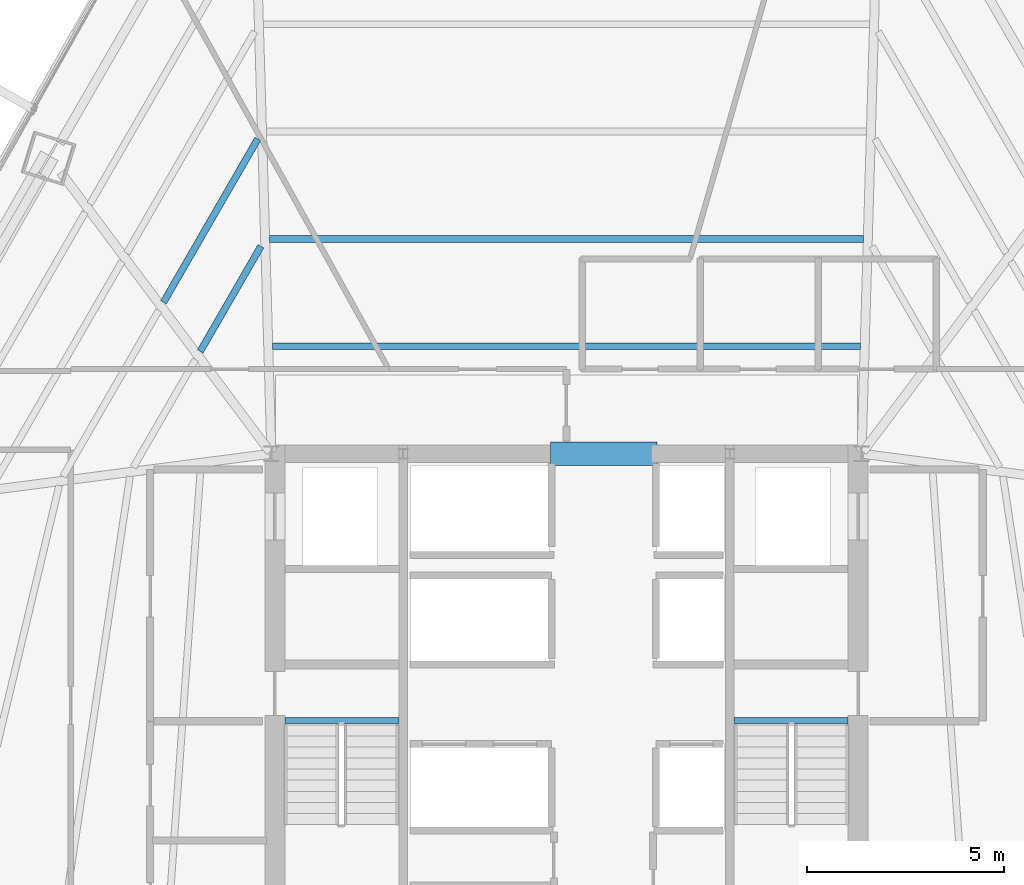
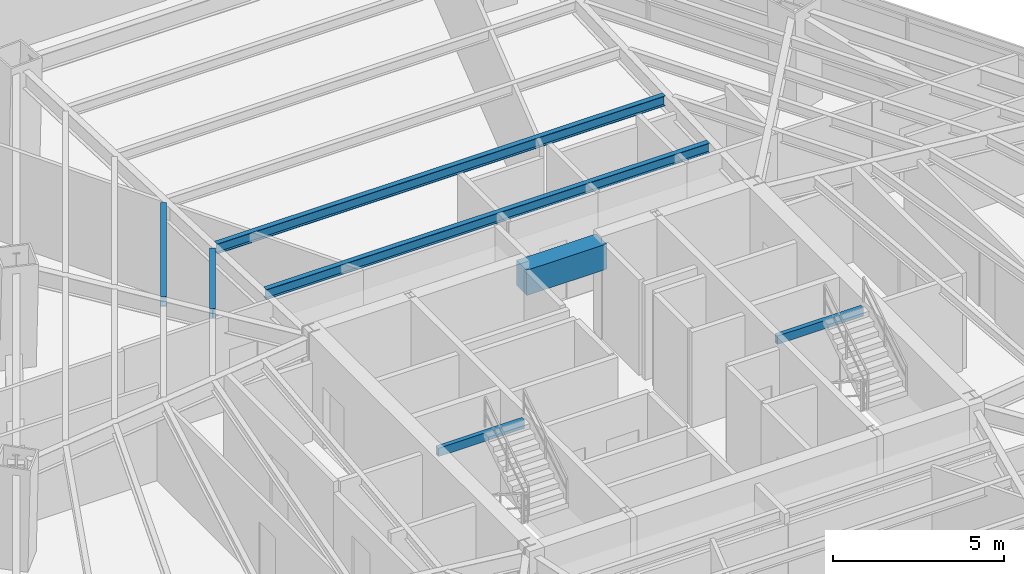
# One storey, part 14 of 36: 7 beams.
"""IFC4 building model written with IfcOpenShell, lengths in metres."""

from ifc_helpers import new_model, si_unit, direction, frame, origin, origin_2d, place, context, subcontext, project, spatial, rectangle, hollow_rectangle, i_section, extrude, source, transform, mapped, material, material_profile, profile_set, type_object, type_shapes, element, save


model = new_model("IFC4")

# Units and contexts
model_context = context("Model", 3, precision=1e-05, world=origin(), true_north=direction((0.0, 1.0)))
body_context = subcontext(model_context, "Body", "Model", "MODEL_VIEW")
ifc_project = project(units=[si_unit("LENGTHUNIT", "METRE"), si_unit("AREAUNIT", "SQUARE_METRE"), si_unit("VOLUMEUNIT", "CUBIC_METRE"), si_unit("PLANEANGLEUNIT", "RADIAN"), si_unit("MASSUNIT", "GRAM", prefix="KILO")], contexts=[model_context])

# Site, building, storey
site_placement = place(None, origin())
site = spatial("IfcSite", under=ifc_project, at=site_placement, CompositionType="ELEMENT")
building_placement = place(site_placement, origin())
building = spatial("IfcBuilding", under=site, at=building_placement, Name="Caelisora Broadcast Tower", CompositionType="ELEMENT")
storey_placement = place(building_placement, frame((0.0, 0.0, 79.85009765625)))
storey = spatial("IfcBuildingStorey", under=building, at=storey_placement, Name="L20", CompositionType="ELEMENT", Elevation=79.85009765625)

# Beams
ifc_material_1 = material(Name="Steel Grade 350 (AS/NZS 1163 C350L0)", Category="steel")
ifc_material_profile_1 = material_profile(ifc_material_1, hollow_rectangle(XDim=0.14990234375, YDim=0.300048828125, WallThickness=0.010009765625, at=origin_2d()), Name="Steel Grade 350 (AS/NZS 1163 C350L0)")
ifc_profile_set_1 = profile_set([ifc_material_profile_1], Name="Steel Grade 350 (AS/NZS 1163 C350L0)")
beam_type_1 = type_object("IfcBeamType", Name="SB05", PredefinedType="JOIST", material=ifc_profile_set_1)
shared_shape_1 = source(origin(), body_context, "Body", "SweptSolid", [
    extrude(hollow_rectangle(XDim=0.14990234375, YDim=0.300048828125, WallThickness=0.010009765625, at=origin_2d()), origin(), (0.0, 0.0, 1.0), 2.89990234375),
])
type_shapes(beam_type_1, [shared_shape_1])
for number, where, z_axis, x_axis, name in (
    (1, (30.840087890625, 23.219970703125, 3.25), (1.0, 0.0, 0.0), (0.0, 1.0, 0.0), "L20 beam SB05"),
    (2, (42.260009765625, 23.219970703125, 3.25), (1.0, 0.0, 0.0), (0.0, 1.0, 0.0), "L20 beam SB05"),
):
    element("IfcBeam", number, at=place(storey_placement, frame(where, z_axis=z_axis, x_axis=x_axis)), inside=storey, type_object=beam_type_1, Name=name, PredefinedType="JOIST", context=body_context, shape_type="MappedRepresentation", body=[
        mapped(shared_shape_1, transform((0.0, 0.0, 0.0), scale=1.0)),
    ])
ifc_material_2 = material(Name="Concrete 50 MPa (AS 3600 S50)", Category="concrete")
ifc_material_profile_2 = material_profile(ifc_material_2, rectangle(XDim=0.60009765625, YDim=0.89990234375, at=origin_2d()), Name="Concrete 50 MPa (AS 3600 S50)")
ifc_profile_set_2 = profile_set([ifc_material_profile_2], Name="Concrete 50 MPa (AS 3600 S50)")
beam_type_2 = type_object("IfcBeamType", Name="CB02", PredefinedType="LINTEL", material=ifc_profile_set_2)
shared_shape_2 = source(origin(), body_context, "Body", "SweptSolid", [
    extrude(rectangle(XDim=0.60009765625, YDim=0.89990234375, at=origin_2d()), origin(), (0.0, 0.0, 1.0), 2.699951171875),
])
type_shapes(beam_type_2, [shared_shape_2])
beam_1_placement = place(storey_placement, frame((37.60009765625, 30.0, 2.949951171875), z_axis=(1.0, 0.0, 0.0), x_axis=(0.0, 1.0, 0.0)))
element("IfcBeam", 3, at=beam_1_placement, inside=storey, type_object=beam_type_2, Name="L20 beam CB02", PredefinedType="LINTEL", context=body_context, shape_type="MappedRepresentation", body=[
    mapped(shared_shape_2, transform((0.0, 0.0, 0.0), scale=1.0)),
])
ifc_material_3 = material(Name="Steel Grade 350 (AS/NZS 3679.1)", Category="steel")
ifc_material_profile_3 = material_profile(ifc_material_3, i_section(OverallWidth=0.172119140625, OverallDepth=0.358642578125, WebThickness=0.008056640625, FlangeThickness=0.012939453125, at=origin_2d()), Name="Steel Grade 350 (AS/NZS 3679.1)")
ifc_profile_set_3 = profile_set([ifc_material_profile_3], Name="Steel Grade 350 (AS/NZS 3679.1)")
beam_type_3 = type_object("IfcBeamType", Name="SB02", PredefinedType="JOIST", material=ifc_profile_set_3)
shared_shape_3 = source(origin(), body_context, "Body", "SweptSolid", [
    extrude(i_section(OverallWidth=0.172119140625, OverallDepth=0.358642578125, WebThickness=0.008056640625, FlangeThickness=0.012939453125, at=origin_2d()), origin(), (0.0, 0.0, 1.0), 14.93701171875),
])
beam_2_placement = place(storey_placement, frame((45.468505859375, 32.728515625, 3.220703125), z_axis=(-1.0, 0.0, 0.0), x_axis=(0.0, -1.0, 0.0)))
element("IfcBeam", 4, at=beam_2_placement, inside=storey, type_object=beam_type_3, Name="L20 beam SB02", PredefinedType="JOIST", context=body_context, shape_type="MappedRepresentation", body=[
    mapped(shared_shape_3, transform((0.0, 0.0, 0.0), scale=1.0)),
])
shared_shape_4 = source(origin(), body_context, "Body", "SweptSolid", [
    extrude(i_section(OverallWidth=0.172119140625, OverallDepth=0.358642578125, WebThickness=0.008056640625, FlangeThickness=0.012939453125, at=origin_2d()), origin(), (0.0, 0.0, 1.0), 15.09521484375),
])
beam_3_placement = place(storey_placement, frame((45.547607421875, 35.456787109375, 3.220703125), z_axis=(-1.0, 0.0, 0.0), x_axis=(0.0, -1.0, 0.0)))
element("IfcBeam", 5, at=beam_3_placement, inside=storey, type_object=beam_type_3, Name="L20 beam SB02", PredefinedType="JOIST", context=body_context, shape_type="MappedRepresentation", body=[
    mapped(shared_shape_4, transform((0.0, 0.0, 0.0), scale=1.0)),
])
shared_shape_5 = source(origin(), body_context, "Body", "SweptSolid", [
    extrude(i_section(OverallWidth=0.172119140625, OverallDepth=0.358642578125, WebThickness=0.008056640625, FlangeThickness=0.012939453125, at=origin_2d()), origin(), (0.0, 0.0, 1.0), 3.083740234375),
])
beam_4_placement = place(storey_placement, frame((30.234130859375, 35.271240234375, 3.220703125), z_axis=(-0.499962318598, -0.866047158059, 0.0), x_axis=(0.866047158059, -0.499962318598, 0.0)))
element("IfcBeam", 6, at=beam_4_placement, inside=storey, type_object=beam_type_3, Name="L20 beam SB02", PredefinedType="JOIST", context=body_context, shape_type="MappedRepresentation", body=[
    mapped(shared_shape_5, transform((0.0, 0.0, 0.0), scale=1.0)),
])
shared_shape_6 = source(origin(), body_context, "Body", "SweptSolid", [
    extrude(i_section(OverallWidth=0.172119140625, OverallDepth=0.358642578125, WebThickness=0.008056640625, FlangeThickness=0.012939453125, at=origin_2d()), origin(), (0.0, 0.0, 1.0), 4.793212890625),
])
type_shapes(beam_type_3, [shared_shape_3, shared_shape_4, shared_shape_5, shared_shape_6])
beam_5_placement = place(storey_placement, frame((30.15478515625, 37.999755859375, 3.220703125), z_axis=(-0.49997376998, -0.866040547164, 0.0), x_axis=(0.866040547164, -0.49997376998, 0.0)))
element("IfcBeam", 7, at=beam_5_placement, inside=storey, type_object=beam_type_3, Name="L20 beam SB02", PredefinedType="JOIST", context=body_context, shape_type="MappedRepresentation", body=[
    mapped(shared_shape_6, transform((0.0, 0.0, 0.0), scale=1.0)),
])

save(model, "model.ifc")
